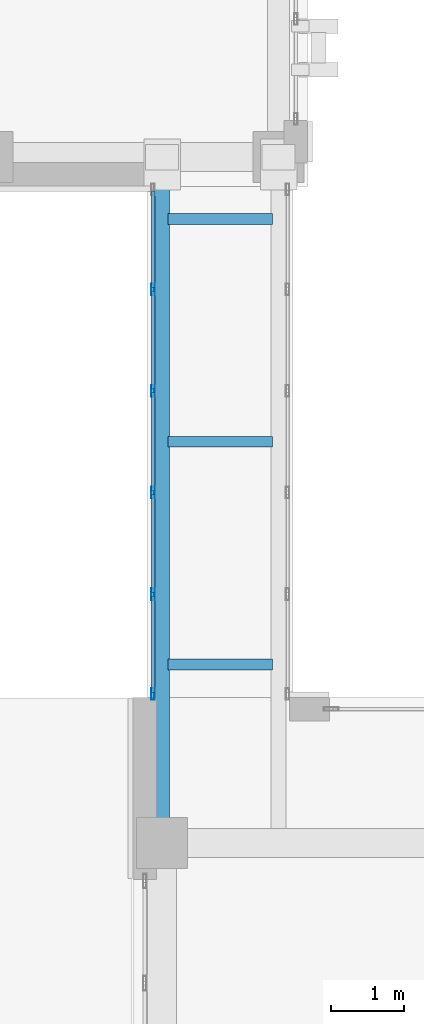
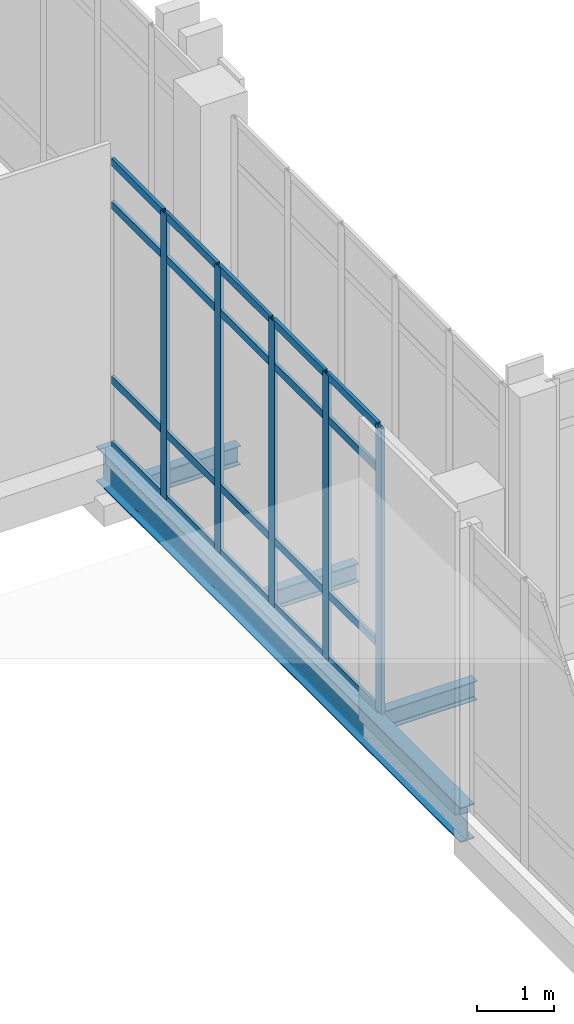
# One storey, part 16 of 189: 25 members, 4 beams, 1 element without a shape of its own.
"""IFC4 building model written with IfcOpenShell, lengths in metres."""

from ifc_helpers import new_model, si_unit, direction, frame, origin, origin_2d, place, context, subcontext, project, spatial, hollow_rectangle, i_section, extrude, material, layer, layer_set, material_profile, profile_set, type_object, element, aggregate, save


model = new_model("IFC4")

# Units and contexts
model_context = context("Model", 3, precision=1e-05, world=origin(), true_north=direction((0.0, 1.0)))
body_context = subcontext(model_context, "Body", "Model", "MODEL_VIEW")
ifc_project = project(units=[si_unit("LENGTHUNIT", "METRE"), si_unit("AREAUNIT", "SQUARE_METRE"), si_unit("VOLUMEUNIT", "CUBIC_METRE"), si_unit("PLANEANGLEUNIT", "RADIAN"), si_unit("MASSUNIT", "GRAM", prefix="KILO")], contexts=[model_context])

# Site, building, storey
site_placement = place(None, origin())
site = spatial("IfcSite", under=ifc_project, at=site_placement, CompositionType="ELEMENT")
building_placement = place(site_placement, origin())
building = spatial("IfcBuilding", under=site, at=building_placement, Name="Qalavern Law Courts", CompositionType="ELEMENT")
storey_placement = place(building_placement, frame((0.0, 0.0, 5.39990234375)))
storey = spatial("IfcBuildingStorey", under=building, at=storey_placement, Name="L01", CompositionType="ELEMENT", Elevation=5.39990234375)

# Curtain wall, members
ifc_material_1 = material(Name="Anodised aluminium and insulated glazing", Category="aluminium")
ifc_layer = layer(ifc_material_1, 0.14990234375)
ifc_layer_set = layer_set([ifc_layer], Name="Anodised aluminium and insulated glazing")
curtain_wall_type = type_object("IfcCurtainWallType", Name="ENV-CW-BRG", PredefinedType="USERDEFINED", material=ifc_layer_set)
curtain_wall_placement = place(storey_placement, origin())
curtain_wall = element("IfcCurtainWall", 1, at=curtain_wall_placement, inside=storey, type_object=curtain_wall_type, Name="Bridge BR-V1-V3 glazed curtain wall L01-1", ObjectType="UNITISED CURTAIN WALL", PredefinedType="USERDEFINED")
ifc_material_2 = material(Name="Anodised aluminium", Category="aluminium")
ifc_material_profile_1 = material_profile(ifc_material_2, hollow_rectangle(XDim=0.048095703125, YDim=0.159912109375, WallThickness=0.00390625, at=origin_2d()), Name="ALU MULLION 48x160")
ifc_profile_set_1 = profile_set([ifc_material_profile_1], Name="Anodised aluminium")
member_type_1 = type_object("IfcMemberType", Name="ENV-CWM-48x160", PredefinedType="MULLION", material=ifc_profile_set_1)
member_1_placement = place(storey_placement, frame((16.675048828125, 39.60400390625, 0.0), z_axis=(0.0, 0.0, 1.0), x_axis=(1.0, 0.0, 0.0)))
member_1 = element("IfcMember", 2, at=member_1_placement, type_object=member_type_1, Name="CW-06 mullion 2", PredefinedType="MULLION", context=body_context, shape_type="SweptSolid", body=[
    extrude(hollow_rectangle(XDim=0.048095703125, YDim=0.159912109375, WallThickness=0.00390625, at=origin_2d()), origin(), (0.0, 0.0, 1.0), 4.510009765625),
])
member_2_placement = place(storey_placement, frame((16.675048828125, 38.2080078125, 0.0), z_axis=(0.0, 0.0, 1.0), x_axis=(1.0, 0.0, 0.0)))
member_2 = element("IfcMember", 3, at=member_2_placement, type_object=member_type_1, Name="CW-06 mullion 3", PredefinedType="MULLION", context=body_context, shape_type="SweptSolid", body=[
    extrude(hollow_rectangle(XDim=0.048095703125, YDim=0.159912109375, WallThickness=0.00390625, at=origin_2d()), origin(), (0.0, 0.0, 1.0), 4.510009765625),
])
member_3_placement = place(storey_placement, frame((16.675048828125, 36.81201171875, 0.0), z_axis=(0.0, 0.0, 1.0), x_axis=(1.0, 0.0, 0.0)))
member_3 = element("IfcMember", 4, at=member_3_placement, type_object=member_type_1, Name="CW-06 mullion 4", PredefinedType="MULLION", context=body_context, shape_type="SweptSolid", body=[
    extrude(hollow_rectangle(XDim=0.048095703125, YDim=0.159912109375, WallThickness=0.00390625, at=origin_2d()), origin(), (0.0, 0.0, 1.0), 4.510009765625),
])
member_4_placement = place(storey_placement, frame((16.675048828125, 35.416015625, 0.0), z_axis=(0.0, 0.0, 1.0), x_axis=(1.0, 0.0, 0.0)))
member_4 = element("IfcMember", 5, at=member_4_placement, type_object=member_type_1, Name="CW-06 mullion 5", PredefinedType="MULLION", context=body_context, shape_type="SweptSolid", body=[
    extrude(hollow_rectangle(XDim=0.048095703125, YDim=0.159912109375, WallThickness=0.00390625, at=origin_2d()), origin(), (0.0, 0.0, 1.0), 4.510009765625),
])
member_5_placement = place(storey_placement, frame((16.675048828125, 34.0439453125, 0.0), z_axis=(0.0, 0.0, 1.0), x_axis=(1.0, 0.0, 0.0)))
member_5 = element("IfcMember", 6, at=member_5_placement, type_object=member_type_1, Name="CW-06 mullion 6", PredefinedType="MULLION", context=body_context, shape_type="SweptSolid", body=[
    extrude(hollow_rectangle(XDim=0.048095703125, YDim=0.159912109375, WallThickness=0.00390625, at=origin_2d()), origin(), (0.0, 0.0, 1.0), 4.510009765625),
])
ifc_material_profile_2 = material_profile(ifc_material_2, hollow_rectangle(XDim=0.048095703125, YDim=0.1201171875, WallThickness=0.00390625, at=origin_2d()), Name="ALU TRANSOM 48x120")
ifc_profile_set_2 = profile_set([ifc_material_profile_2], Name="Anodised aluminium")
member_type_2 = type_object("IfcMemberType", Name="ENV-CWT-48x120", PredefinedType="USERDEFINED", material=ifc_profile_set_2)
member_6_placement = place(storey_placement, frame((16.675048828125, 40.951904296875, 0.024169921875), z_axis=(0.0, -1.0, 0.0), x_axis=(1.0, 0.0, 0.0)))
member_6 = element("IfcMember", 7, at=member_6_placement, type_object=member_type_2, Name="CW-06 transom 1.1", ObjectType="TRANSOM", PredefinedType="USERDEFINED", context=body_context, shape_type="SweptSolid", body=[
    extrude(hollow_rectangle(XDim=0.048095703125, YDim=0.1201171875, WallThickness=0.00390625, at=origin_2d()), origin(), (0.0, 0.0, 1.0), 1.323974609375),
])
member_7_placement = place(storey_placement, frame((16.675048828125, 40.951904296875, 1.050048828125), z_axis=(0.0, -1.0, 0.0), x_axis=(1.0, 0.0, 0.0)))
member_7 = element("IfcMember", 8, at=member_7_placement, type_object=member_type_2, Name="CW-06 transom 1.2", ObjectType="TRANSOM", PredefinedType="USERDEFINED", context=body_context, shape_type="SweptSolid", body=[
    extrude(hollow_rectangle(XDim=0.048095703125, YDim=0.1201171875, WallThickness=0.00390625, at=origin_2d()), origin(), (0.0, 0.0, 1.0), 1.323974609375),
])
member_8_placement = place(storey_placement, frame((16.675048828125, 40.951904296875, 3.81005859375), z_axis=(0.0, -1.0, 0.0), x_axis=(1.0, 0.0, 0.0)))
member_8 = element("IfcMember", 9, at=member_8_placement, type_object=member_type_2, Name="CW-06 transom 1.3", ObjectType="TRANSOM", PredefinedType="USERDEFINED", context=body_context, shape_type="SweptSolid", body=[
    extrude(hollow_rectangle(XDim=0.048095703125, YDim=0.1201171875, WallThickness=0.00390625, at=origin_2d()), origin(), (0.0, 0.0, 1.0), 1.323974609375),
])
member_9_placement = place(storey_placement, frame((16.675048828125, 40.951904296875, 4.486083984375), z_axis=(0.0, -1.0, 0.0), x_axis=(1.0, 0.0, 0.0)))
member_9 = element("IfcMember", 10, at=member_9_placement, type_object=member_type_2, Name="CW-06 transom 1.4", ObjectType="TRANSOM", PredefinedType="USERDEFINED", context=body_context, shape_type="SweptSolid", body=[
    extrude(hollow_rectangle(XDim=0.048095703125, YDim=0.1201171875, WallThickness=0.00390625, at=origin_2d()), origin(), (0.0, 0.0, 1.0), 1.323974609375),
])
member_10_placement = place(storey_placement, frame((16.675048828125, 39.580078125, 0.024169921875), z_axis=(0.0, -1.0, 0.0), x_axis=(1.0, 0.0, 0.0)))
member_10 = element("IfcMember", 11, at=member_10_placement, type_object=member_type_2, Name="CW-06 transom 2.1", ObjectType="TRANSOM", PredefinedType="USERDEFINED", context=body_context, shape_type="SweptSolid", body=[
    extrude(hollow_rectangle(XDim=0.048095703125, YDim=0.1201171875, WallThickness=0.00390625, at=origin_2d()), origin(), (0.0, 0.0, 1.0), 1.34814453125),
])
member_11_placement = place(storey_placement, frame((16.675048828125, 39.580078125, 1.050048828125), z_axis=(0.0, -1.0, 0.0), x_axis=(1.0, 0.0, 0.0)))
member_11 = element("IfcMember", 12, at=member_11_placement, type_object=member_type_2, Name="CW-06 transom 2.2", ObjectType="TRANSOM", PredefinedType="USERDEFINED", context=body_context, shape_type="SweptSolid", body=[
    extrude(hollow_rectangle(XDim=0.048095703125, YDim=0.1201171875, WallThickness=0.00390625, at=origin_2d()), origin(), (0.0, 0.0, 1.0), 1.34814453125),
])
member_12_placement = place(storey_placement, frame((16.675048828125, 39.580078125, 3.81005859375), z_axis=(0.0, -1.0, 0.0), x_axis=(1.0, 0.0, 0.0)))
member_12 = element("IfcMember", 13, at=member_12_placement, type_object=member_type_2, Name="CW-06 transom 2.3", ObjectType="TRANSOM", PredefinedType="USERDEFINED", context=body_context, shape_type="SweptSolid", body=[
    extrude(hollow_rectangle(XDim=0.048095703125, YDim=0.1201171875, WallThickness=0.00390625, at=origin_2d()), origin(), (0.0, 0.0, 1.0), 1.34814453125),
])
member_13_placement = place(storey_placement, frame((16.675048828125, 39.580078125, 4.486083984375), z_axis=(0.0, -1.0, 0.0), x_axis=(1.0, 0.0, 0.0)))
member_13 = element("IfcMember", 14, at=member_13_placement, type_object=member_type_2, Name="CW-06 transom 2.4", ObjectType="TRANSOM", PredefinedType="USERDEFINED", context=body_context, shape_type="SweptSolid", body=[
    extrude(hollow_rectangle(XDim=0.048095703125, YDim=0.1201171875, WallThickness=0.00390625, at=origin_2d()), origin(), (0.0, 0.0, 1.0), 1.34814453125),
])
member_14_placement = place(storey_placement, frame((16.675048828125, 38.18408203125, 0.024169921875), z_axis=(0.0, -1.0, 0.0), x_axis=(1.0, 0.0, 0.0)))
member_14 = element("IfcMember", 15, at=member_14_placement, type_object=member_type_2, Name="CW-06 transom 3.1", ObjectType="TRANSOM", PredefinedType="USERDEFINED", context=body_context, shape_type="SweptSolid", body=[
    extrude(hollow_rectangle(XDim=0.048095703125, YDim=0.1201171875, WallThickness=0.00390625, at=origin_2d()), origin(), (0.0, 0.0, 1.0), 1.34814453125),
])
member_15_placement = place(storey_placement, frame((16.675048828125, 38.18408203125, 1.050048828125), z_axis=(0.0, -1.0, 0.0), x_axis=(1.0, 0.0, 0.0)))
member_15 = element("IfcMember", 16, at=member_15_placement, type_object=member_type_2, Name="CW-06 transom 3.2", ObjectType="TRANSOM", PredefinedType="USERDEFINED", context=body_context, shape_type="SweptSolid", body=[
    extrude(hollow_rectangle(XDim=0.048095703125, YDim=0.1201171875, WallThickness=0.00390625, at=origin_2d()), origin(), (0.0, 0.0, 1.0), 1.34814453125),
])
member_16_placement = place(storey_placement, frame((16.675048828125, 38.18408203125, 3.81005859375), z_axis=(0.0, -1.0, 0.0), x_axis=(1.0, 0.0, 0.0)))
member_16 = element("IfcMember", 17, at=member_16_placement, type_object=member_type_2, Name="CW-06 transom 3.3", ObjectType="TRANSOM", PredefinedType="USERDEFINED", context=body_context, shape_type="SweptSolid", body=[
    extrude(hollow_rectangle(XDim=0.048095703125, YDim=0.1201171875, WallThickness=0.00390625, at=origin_2d()), origin(), (0.0, 0.0, 1.0), 1.34814453125),
])
member_17_placement = place(storey_placement, frame((16.675048828125, 38.18408203125, 4.486083984375), z_axis=(0.0, -1.0, 0.0), x_axis=(1.0, 0.0, 0.0)))
member_17 = element("IfcMember", 18, at=member_17_placement, type_object=member_type_2, Name="CW-06 transom 3.4", ObjectType="TRANSOM", PredefinedType="USERDEFINED", context=body_context, shape_type="SweptSolid", body=[
    extrude(hollow_rectangle(XDim=0.048095703125, YDim=0.1201171875, WallThickness=0.00390625, at=origin_2d()), origin(), (0.0, 0.0, 1.0), 1.34814453125),
])
member_18_placement = place(storey_placement, frame((16.675048828125, 36.7880859375, 0.024169921875), z_axis=(0.0, -1.0, 0.0), x_axis=(1.0, 0.0, 0.0)))
member_18 = element("IfcMember", 19, at=member_18_placement, type_object=member_type_2, Name="CW-06 transom 4.1", ObjectType="TRANSOM", PredefinedType="USERDEFINED", context=body_context, shape_type="SweptSolid", body=[
    extrude(hollow_rectangle(XDim=0.048095703125, YDim=0.1201171875, WallThickness=0.00390625, at=origin_2d()), origin(), (0.0, 0.0, 1.0), 1.34814453125),
])
member_19_placement = place(storey_placement, frame((16.675048828125, 36.7880859375, 1.050048828125), z_axis=(0.0, -1.0, 0.0), x_axis=(1.0, 0.0, 0.0)))
member_19 = element("IfcMember", 20, at=member_19_placement, type_object=member_type_2, Name="CW-06 transom 4.2", ObjectType="TRANSOM", PredefinedType="USERDEFINED", context=body_context, shape_type="SweptSolid", body=[
    extrude(hollow_rectangle(XDim=0.048095703125, YDim=0.1201171875, WallThickness=0.00390625, at=origin_2d()), origin(), (0.0, 0.0, 1.0), 1.34814453125),
])
member_20_placement = place(storey_placement, frame((16.675048828125, 36.7880859375, 3.81005859375), z_axis=(0.0, -1.0, 0.0), x_axis=(1.0, 0.0, 0.0)))
member_20 = element("IfcMember", 21, at=member_20_placement, type_object=member_type_2, Name="CW-06 transom 4.3", ObjectType="TRANSOM", PredefinedType="USERDEFINED", context=body_context, shape_type="SweptSolid", body=[
    extrude(hollow_rectangle(XDim=0.048095703125, YDim=0.1201171875, WallThickness=0.00390625, at=origin_2d()), origin(), (0.0, 0.0, 1.0), 1.34814453125),
])
member_21_placement = place(storey_placement, frame((16.675048828125, 36.7880859375, 4.486083984375), z_axis=(0.0, -1.0, 0.0), x_axis=(1.0, 0.0, 0.0)))
member_21 = element("IfcMember", 22, at=member_21_placement, type_object=member_type_2, Name="CW-06 transom 4.4", ObjectType="TRANSOM", PredefinedType="USERDEFINED", context=body_context, shape_type="SweptSolid", body=[
    extrude(hollow_rectangle(XDim=0.048095703125, YDim=0.1201171875, WallThickness=0.00390625, at=origin_2d()), origin(), (0.0, 0.0, 1.0), 1.34814453125),
])
member_22_placement = place(storey_placement, frame((16.675048828125, 35.39208984375, 0.024169921875), z_axis=(0.0, -1.0, 0.0), x_axis=(1.0, 0.0, 0.0)))
member_22 = element("IfcMember", 23, at=member_22_placement, type_object=member_type_2, Name="CW-06 transom 5.1", ObjectType="TRANSOM", PredefinedType="USERDEFINED", context=body_context, shape_type="SweptSolid", body=[
    extrude(hollow_rectangle(XDim=0.048095703125, YDim=0.1201171875, WallThickness=0.00390625, at=origin_2d()), origin(), (0.0, 0.0, 1.0), 1.323974609375),
])
member_23_placement = place(storey_placement, frame((16.675048828125, 35.39208984375, 1.050048828125), z_axis=(0.0, -1.0, 0.0), x_axis=(1.0, 0.0, 0.0)))
member_23 = element("IfcMember", 24, at=member_23_placement, type_object=member_type_2, Name="CW-06 transom 5.2", ObjectType="TRANSOM", PredefinedType="USERDEFINED", context=body_context, shape_type="SweptSolid", body=[
    extrude(hollow_rectangle(XDim=0.048095703125, YDim=0.1201171875, WallThickness=0.00390625, at=origin_2d()), origin(), (0.0, 0.0, 1.0), 1.323974609375),
])
member_24_placement = place(storey_placement, frame((16.675048828125, 35.39208984375, 3.81005859375), z_axis=(0.0, -1.0, 0.0), x_axis=(1.0, 0.0, 0.0)))
member_24 = element("IfcMember", 25, at=member_24_placement, type_object=member_type_2, Name="CW-06 transom 5.3", ObjectType="TRANSOM", PredefinedType="USERDEFINED", context=body_context, shape_type="SweptSolid", body=[
    extrude(hollow_rectangle(XDim=0.048095703125, YDim=0.1201171875, WallThickness=0.00390625, at=origin_2d()), origin(), (0.0, 0.0, 1.0), 1.323974609375),
])
member_25_placement = place(storey_placement, frame((16.675048828125, 35.39208984375, 4.486083984375), z_axis=(0.0, -1.0, 0.0), x_axis=(1.0, 0.0, 0.0)))
member_25 = element("IfcMember", 26, at=member_25_placement, type_object=member_type_2, Name="CW-06 transom 5.4", ObjectType="TRANSOM", PredefinedType="USERDEFINED", context=body_context, shape_type="SweptSolid", body=[
    extrude(hollow_rectangle(XDim=0.048095703125, YDim=0.1201171875, WallThickness=0.00390625, at=origin_2d()), origin(), (0.0, 0.0, 1.0), 1.323974609375),
])
aggregate(curtain_wall, [member_1, member_2, member_3, member_4, member_5, member_6, member_7, member_8, member_9, member_10, member_11, member_12, member_13, member_14, member_15, member_16, member_17, member_18, member_19, member_20, member_21, member_22, member_23, member_24, member_25])

# Beams
ifc_material_3 = material(Name="Steel S355", Category="steel")
ifc_material_profile_3 = material_profile(ifc_material_3, i_section(OverallWidth=0.2099609375, OverallDepth=0.550048828125, WebThickness=0.010986328125, FlangeThickness=0.01708984375, FilletRadius=0.02392578125, at=origin_2d()), Name="IPE 550")
ifc_profile_set_3 = profile_set([ifc_material_profile_3], Name="Steel S355")
beam_type_1 = type_object("IfcBeamType", Name="STR-BM-IPE550", PredefinedType="BEAM", material=ifc_profile_set_3)
beam_placement = place(storey_placement, frame((16.800048828125, 32.0, -0.574951171875), z_axis=(0.0, 1.0, 0.0), x_axis=(-1.0, 0.0, 0.0)))
element("IfcBeam", 27, at=beam_placement, inside=storey, type_object=beam_type_1, Name="Bridge BR-V1-V3 edge girder 1 L01", PredefinedType="BEAM", context=body_context, shape_type="SweptSolid", body=[
    extrude(i_section(OverallWidth=0.2099609375, OverallDepth=0.550048828125, WebThickness=0.010986328125, FlangeThickness=0.01708984375, FilletRadius=0.02392578125, at=origin_2d()), origin(), (0.0, 0.0, 1.0), 9.419921875),
])
ifc_material_profile_4 = material_profile(ifc_material_3, i_section(OverallWidth=0.14990234375, OverallDepth=0.300048828125, WebThickness=0.007080078125, FlangeThickness=0.0107421875, FilletRadius=0.014892578125, at=origin_2d()), Name="IPE 300")
ifc_profile_set_4 = profile_set([ifc_material_profile_4], Name="Steel S355")
beam_type_2 = type_object("IfcBeamType", Name="STR-JST-IPE300", PredefinedType="JOIST", material=ifc_profile_set_4)
for number, where, z_axis, x_axis, name in (
    (28, (16.8798828125, 34.449951171875, -0.449951171875), (1.0, 0.0, 0.0), (0.0, 1.0, 0.0), "Bridge BR-V1-V3 cross beam 1 L01"),
    (29, (16.8798828125, 37.510009765625, -0.449951171875), (1.0, 0.0, 0.0), (0.0, 1.0, 0.0), "Bridge BR-V1-V3 cross beam 2 L01"),
    (30, (16.8798828125, 40.570068359375, -0.449951171875), (1.0, 0.0, 0.0), (0.0, 1.0, 0.0), "Bridge BR-V1-V3 cross beam 3 L01"),
):
    element("IfcBeam", number, at=place(storey_placement, frame(where, z_axis=z_axis, x_axis=x_axis)), inside=storey, type_object=beam_type_2, Name=name, PredefinedType="JOIST", context=body_context, shape_type="SweptSolid", body=[
        extrude(i_section(OverallWidth=0.14990234375, OverallDepth=0.300048828125, WebThickness=0.007080078125, FlangeThickness=0.0107421875, FilletRadius=0.014892578125, at=origin_2d()), origin(), (0.0, 0.0, 1.0), 1.440185546875),
    ])

save(model, "model.ifc")
